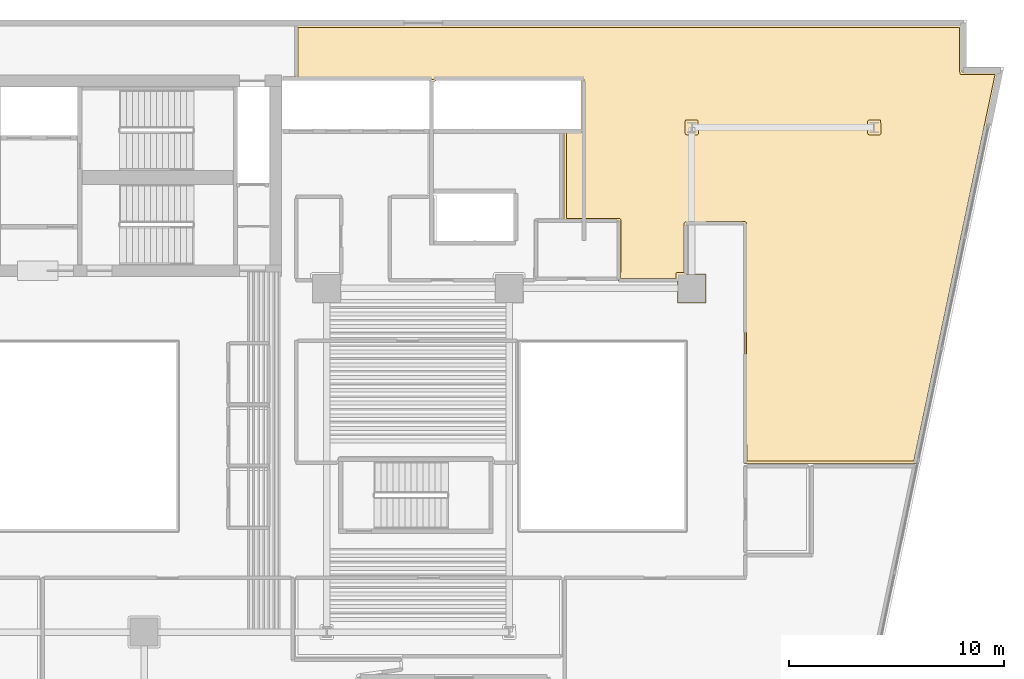
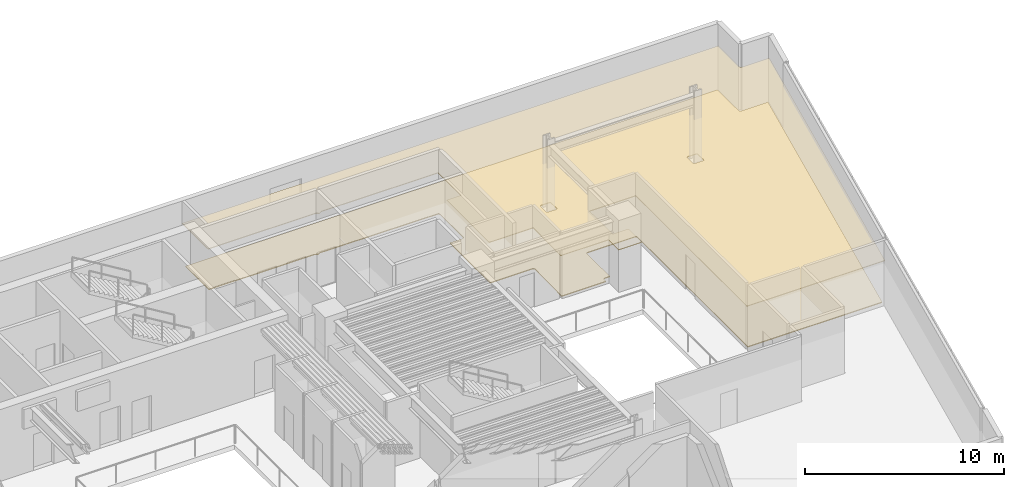
# One storey, part 11 of 11: 2 coverings.
"""IFC4 building model written with IfcOpenShell, lengths in metres."""

from ifc_helpers import new_model, si_unit, direction, frame, origin, place, context, subcontext, project, spatial, polyline, outline, extrude, material, layer, layer_set, type_object, element, save


model = new_model("IFC4")

# Units and contexts
model_context = context("Model", 3, precision=1e-05, world=origin(), true_north=direction((0.0, 1.0)))
body_context = subcontext(model_context, "Body", "Model", "MODEL_VIEW")
ifc_project = project(units=[si_unit("LENGTHUNIT", "METRE"), si_unit("AREAUNIT", "SQUARE_METRE"), si_unit("VOLUMEUNIT", "CUBIC_METRE"), si_unit("PLANEANGLEUNIT", "RADIAN"), si_unit("MASSUNIT", "GRAM", prefix="KILO")], contexts=[model_context])

# Site, building, storey
site_placement = place(None, origin())
site = spatial("IfcSite", under=ifc_project, at=site_placement, CompositionType="ELEMENT")
building_placement = place(site_placement, origin())
building = spatial("IfcBuilding", under=site, at=building_placement, Name="Caeloran Harvest Quay", CompositionType="ELEMENT")
storey_placement = place(building_placement, frame((0.0, 0.0, 101.800048828125)))
storey = spatial("IfcBuildingStorey", under=building, at=storey_placement, Name="L23", CompositionType="ELEMENT", Elevation=101.800048828125)

# Coverings
ifc_material_1 = material(Name="Perforated Mineral-Fibre Acoustic Ceiling Tile", Category="ceiling")
ifc_layer_1 = layer(ifc_material_1, 0.0400390625, Name="Perforated Mineral-Fibre Acoustic Ceiling Tile")
ifc_layer_set_1 = layer_set([ifc_layer_1], Name="Perforated Mineral-Fibre Acoustic Ceiling Tile")
covering_type_1 = type_object("IfcCoveringType", Name="COV-CEILING-ACOUSTIC", PredefinedType="CEILING", material=ifc_layer_set_1)
covering_1_placement = place(storey_placement, frame((0.0, 0.0, 2.599853515625)))
element("IfcCovering", 1, at=covering_1_placement, inside=storey, type_object=covering_type_1, Name="Regional Food Policy Boardroom 9 Acoustic Ceiling", PredefinedType="CEILING", context=body_context, shape_type="SweptSolid", body=[
    extrude(outline(polyline([(43.169921875, 30.330078125), (41.830078125, 30.330078125), (41.830078125, 31.340087890625), (39.069580078125, 31.340087890625), (39.089599609375, 34.139892578125), (36.5400390625, 34.139892578125), (36.5400390625, 38.409912109375), (37.369873046875, 38.409912109375), (37.361328125, 40.681396484375), (30.61083984375, 40.68994140625), (30.43994140625, 40.5888671875), (30.26904296875, 40.68994140625), (24.0400390625, 40.68994140625), (24.0400390625, 43.280029296875), (55.080078125, 43.280029296875), (55.080078125, 41.080078125), (56.766845703125, 41.080078125), (52.93505859375, 22.840087890625), (44.93994140625, 22.840087890625), (44.93994140625, 33.989990234375), (42.260009765625, 33.989990234375), (42.260009765625, 31.669921875), (43.169921875, 31.669921875), (43.169921875, 30.330078125)])), origin(), (0.0, 0.0, 1.0), 0.0400390625),
])
ifc_material_2 = material(Name="Calcium-Sulphate Raised Access Floor and Terrazzo Finish", Category="flooring")
ifc_layer_2 = layer(ifc_material_2, 0.050048828125, Name="Calcium-Sulphate Raised Access Floor and Terrazzo Finish")
ifc_layer_set_2 = layer_set([ifc_layer_2], Name="Calcium-Sulphate Raised Access Floor and Terrazzo Finish")
covering_type_2 = type_object("IfcCoveringType", Name="COV-FLOOR-RAISED", PredefinedType="FLOORING", material=ifc_layer_set_2)
covering_2_placement = place(storey_placement, origin())
element("IfcCovering", 2, at=covering_2_placement, inside=storey, type_object=covering_type_2, Name="Regional Food Policy Boardroom 9 Raised Finish Flooring", PredefinedType="FLOORING", context=body_context, shape_type="SweptSolid", body=[
    extrude(outline(polyline([(24.159912109375, 40.81005859375), (24.159912109375, 43.159912109375), (54.9599609375, 43.159912109375), (54.978271484375, 40.9892578125), (55.0400390625, 40.9599609375), (56.618896484375, 40.9599609375), (52.837646484375, 22.9599609375), (45.06005859375, 22.9599609375), (45.053955078125, 34.060546875), (44.97998046875, 34.110107421875), (42.189453125, 34.10400390625), (42.139892578125, 34.030029296875), (42.139892578125, 31.7451171875), (41.79052734375, 31.7314453125), (41.75537109375, 31.6728515625), (41.7548828125, 31.4599609375), (39.190673828125, 31.4599609375), (39.2099609375, 34.179443359375), (39.186767578125, 34.236328125), (39.1298828125, 34.260009765625), (36.659912109375, 34.260009765625), (36.659912109375, 38.2900390625), (37.41796875, 38.290283203125), (37.486572265625, 38.346923828125), (37.481201171875, 40.721435546875), (37.445556640625, 40.787841796875), (30.60009765625, 40.81005859375), (30.43994140625, 40.728271484375), (30.280029296875, 40.81005859375), (24.159912109375, 40.81005859375)]), holes=[polyline([(51.3134765625, 38.22802734375), (51.29541015625, 38.82275390625), (51.2412109375, 38.8515625), (50.7666015625, 38.85205078125), (50.7099609375, 38.82861328125), (50.6865234375, 38.77197265625), (50.6865234375, 38.22802734375), (50.7099609375, 38.17138671875), (50.7666015625, 38.14794921875), (51.2333984375, 38.14794921875), (51.2900390625, 38.17138671875), (51.3134765625, 38.22802734375)]), polyline([(42.8134765625, 38.22802734375), (42.79541015625, 38.82275390625), (42.7412109375, 38.8515625), (42.2666015625, 38.85205078125), (42.2099609375, 38.82861328125), (42.1865234375, 38.77197265625), (42.1865234375, 38.22802734375), (42.2099609375, 38.17138671875), (42.2666015625, 38.14794921875), (42.7333984375, 38.14794921875), (42.7900390625, 38.17138671875), (42.8134765625, 38.22802734375)])]), origin(), (0.0, 0.0, 1.0), 0.050048828125),
])

save(model, "model.ifc")
